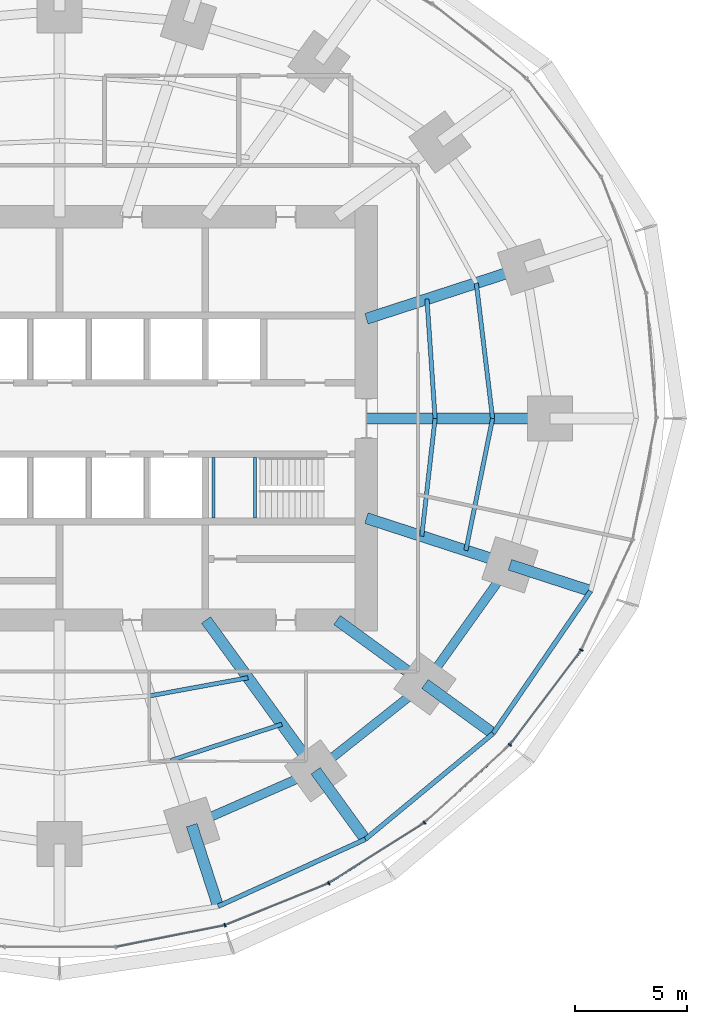
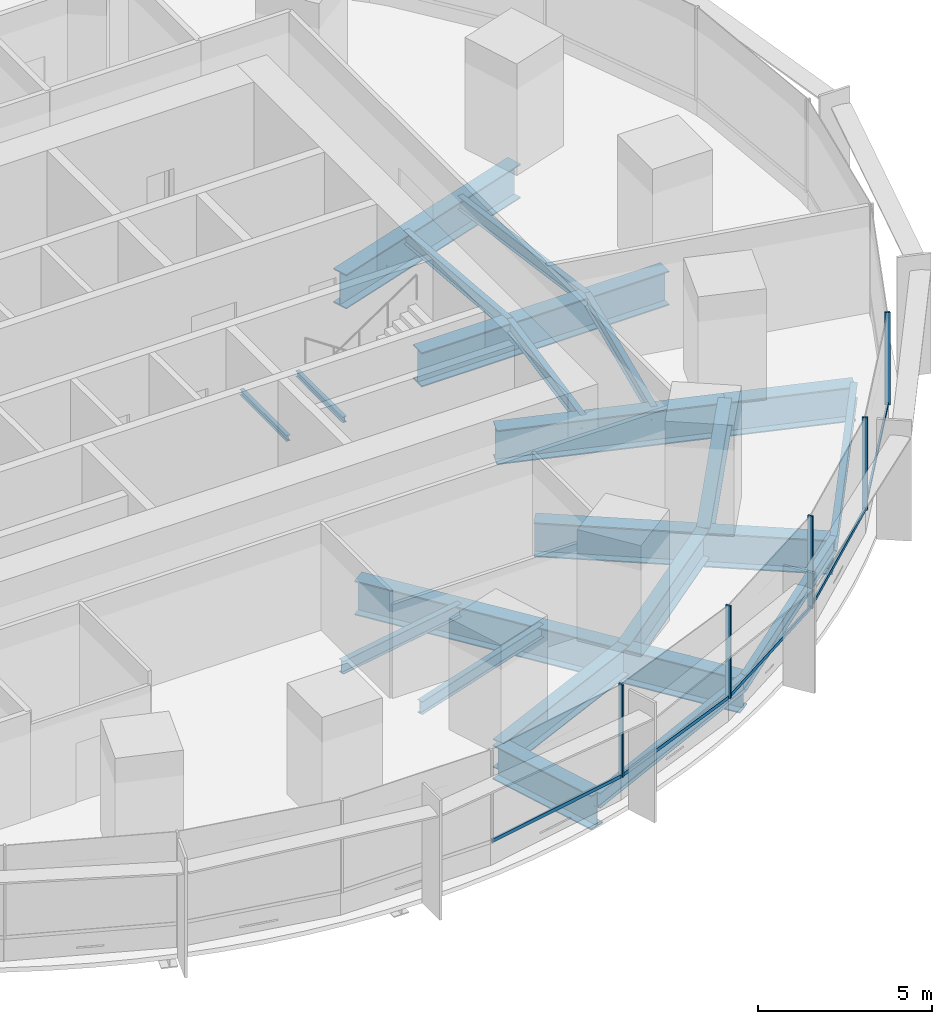
# One storey, part 5 of 15: 23 beams, 10 members, 2 elements without a shape of their own.
"""IFC4 building model written with IfcOpenShell, lengths in metres."""

import ifcopenshell
import ifcopenshell.guid

model = None  # the IFC model being written
_history = None  # IfcOwnerHistory: only IFC2X3 demands one
_inside = {}  # id of a spatial element -> (the spatial element, [elements in it])
_under = {}  # id of a project, library or spatial element -> (it, [spatial elements below it])
_declared = {}  # id of a project -> (the project, [libraries it declares])
_typed = {}  # id of a type object -> (the type object, [elements of that type])
_made_of = {}  # id of a material, layer set ... -> (it, [elements and type objects made of it])


def new_model(schema):
    """Start an empty IFC model of exactly this schema.

    Asked for "IFC4X3", IfcOpenShell would pick the latest addendum, in which some entities
    have other attributes; the version numbers below select the first issue.
    IFC2X3 requires an IfcOwnerHistory on every rooted entity: one is made here for all.
    """
    global model, _history
    if schema == "IFC4X3":
        model = ifcopenshell.file(schema_version=(4, 3, 0, 0))
    else:
        model = ifcopenshell.file(schema=schema)
    _inside.clear()
    _under.clear()
    _declared.clear()
    _typed.clear()
    _made_of.clear()
    _history = None
    if model.schema == "IFC2X3":
        org = make("IfcOrganization", Name="unknown")
        user = make(
            "IfcPersonAndOrganization",
            ThePerson=make("IfcPerson", FamilyName="unknown"),
            TheOrganization=org,
        )
        app = make(
            "IfcApplication",
            ApplicationDeveloper=org,
            Version="unknown",
            ApplicationFullName="unknown",
            ApplicationIdentifier="unknown",
        )
        _history = make(
            "IfcOwnerHistory",
            OwningUser=user,
            OwningApplication=app,
            ChangeAction="ADDED",
            CreationDate=0,
        )
    return model


def make(cls, **values):
    """One entity of the class cls with the attributes given. An attribute that is None is left unset."""
    return model.create_entity(
        cls, **{name: value for name, value in values.items() if value is not None}
    )


def rooted(cls, **values):
    """An entity with a GlobalId (a new one), such as an element, a storey or a relation."""
    return make(cls, GlobalId=ifcopenshell.guid.new(), OwnerHistory=_history, **values)


def si_unit(unit_type, name, prefix=None):
    """IfcSIUnit, for example si_unit("LENGTHUNIT", "METRE", prefix="MILLI")."""
    return make("IfcSIUnit", UnitType=unit_type, Prefix=prefix, Name=name)


def assignment(units):
    """IfcUnitAssignment: the units of a project."""
    return None if units is None else make("IfcUnitAssignment", Units=units)


def point(xyz):
    """IfcCartesianPoint."""
    return None if xyz is None else make("IfcCartesianPoint", Coordinates=xyz)


def direction(xyz):
    """IfcDirection."""
    return None if xyz is None else make("IfcDirection", DirectionRatios=xyz)


def frame(location, z_axis=None, x_axis=None):
    """IfcAxis2Placement3D, a coordinate frame: its origin and axes. An axis left out is left unset."""
    return make(
        "IfcAxis2Placement3D",
        Location=point(location),
        Axis=direction(z_axis),
        RefDirection=direction(x_axis),
    )


def frame_2d(location, x_axis=None):
    """IfcAxis2Placement2D, a coordinate frame in the plane: its origin and x axis."""
    return make(
        "IfcAxis2Placement2D", Location=point(location), RefDirection=direction(x_axis)
    )


def origin():
    """The frame at (0, 0, 0) with its axes left unset."""
    return frame((0.0, 0.0, 0.0))


def origin_2d():
    """The frame at (0, 0) in the plane with its x axis left unset."""
    return frame_2d((0.0, 0.0))


def place(relative_to, where):
    """IfcLocalPlacement: puts the frame where relative to a parent placement (None: the world)."""
    return make(
        "IfcLocalPlacement", PlacementRelTo=relative_to, RelativePlacement=where
    )


def context(
    kind, dimensions, precision=None, world=None, true_north=None, identifier=None
):
    """IfcGeometricRepresentationContext, for example the 3D "Model" context."""
    return make(
        "IfcGeometricRepresentationContext",
        ContextIdentifier=identifier,
        ContextType=kind,
        CoordinateSpaceDimension=dimensions,
        Precision=precision,
        WorldCoordinateSystem=world,
        TrueNorth=true_north,
    )


def subcontext(parent, identifier, kind, view, scale=None):
    """IfcGeometricRepresentationSubContext, for example "Body" below "Model"."""
    return make(
        "IfcGeometricRepresentationSubContext",
        ContextIdentifier=identifier,
        ContextType=kind,
        ParentContext=parent,
        TargetScale=scale,
        TargetView=view,
    )


def project(units=None, contexts=None):
    """IfcProject with its units and contexts."""
    return rooted(
        "IfcProject",
        Name="project",
        RepresentationContexts=contexts,
        UnitsInContext=assignment(units),
    )


def spatial(cls, under=None, at=None, **own):
    """A site, building, storey or space (cls), placed at a placement, below another one or the project."""
    s = rooted(cls, ObjectPlacement=at, **own)
    if under is not None:
        _under.setdefault(under.id(), (under, []))[1].append(s)
    return s


def profile(cls, at=None, kind="AREA", **sizes):
    """A parametric profile (cls). Its sizes go by their IFC names, for example OverallWidth=200.0."""
    return make(cls, ProfileType=kind, Position=at, **sizes)


def rectangle(**sizes):
    """IfcRectangleProfileDef."""
    return profile("IfcRectangleProfileDef", **sizes)


def i_section(**sizes):
    """IfcIShapeProfileDef."""
    return profile("IfcIShapeProfileDef", **sizes)


def extrude(swept, where, along, depth):
    """IfcExtrudedAreaSolid: the profile swept, set in the frame where, extruded along a direction by depth."""
    return make(
        "IfcExtrudedAreaSolid",
        SweptArea=swept,
        Position=where,
        ExtrudedDirection=direction(along),
        Depth=depth,
    )


def shape(context_of_items, identifier, shape_type, items):
    """IfcShapeRepresentation: the items that make up one representation, for example the "Body"."""
    return make(
        "IfcShapeRepresentation",
        ContextOfItems=context_of_items,
        RepresentationIdentifier=identifier,
        RepresentationType=shape_type,
        Items=items,
    )


def material(Name=None, Category=None):
    """IfcMaterial."""
    return make("IfcMaterial", Name=Name, Category=Category)


def material_profile(
    of_material, cross_section, Name=None, Category=None, Priority=None
):
    """IfcMaterialProfile: a cross section and its material."""
    return make(
        "IfcMaterialProfile",
        Name=Name,
        Material=of_material,
        Profile=cross_section,
        Priority=Priority,
        Category=Category,
    )


def profile_set(profiles, Name=None, composite=None):
    """IfcMaterialProfileSet."""
    return make(
        "IfcMaterialProfileSet",
        Name=Name,
        MaterialProfiles=profiles,
        CompositeProfile=composite,
    )


def made_of(thing, what):
    """Note that an element or type object is made of a material, layer set ...; save() writes the relation."""
    if what is not None:
        _made_of.setdefault(what.id(), (what, []))[1].append(thing)
    return thing


def type_object(cls, material=None, **own):
    """A type object (cls), such as IfcWallType, which elements share."""
    return made_of(rooted(cls, **own), material)


def element(
    cls,
    number,
    at=None,
    inside=None,
    cuts=None,
    type_object=None,
    material=None,
    context=None,
    identifier="Body",
    shape_type=None,
    held_by="IfcProductDefinitionShape",
    body=None,
    shapes=None,
    **own,
):
    """One element of the class cls, such as IfcWall. Its Tag is "e" and its number.

    at: its placement. inside: the storey or other place that contains it. cuts: it is an
    opening in that element (IfcRelVoidsElement). A single representation is given by context,
    identifier, shape_type and body (its items); several are given by shapes. held_by: the class
    of the entity that holds the representations. save() writes the other relations.
    """
    e = rooted(cls, Tag="e%d" % number, ObjectPlacement=at, **own)
    if body is not None:
        shapes = [shape(context, identifier, shape_type, body)]
    if shapes is not None:
        e.Representation = make(held_by, Representations=shapes)
    if inside is not None:
        _inside.setdefault(inside.id(), (inside, []))[1].append(e)
    if cuts is not None:
        rooted(
            "IfcRelVoidsElement", RelatingBuildingElement=cuts, RelatedOpeningElement=e
        )
    if type_object is not None:
        _typed.setdefault(type_object.id(), (type_object, []))[1].append(e)
    return made_of(e, material)


def aggregate(whole, parts):
    """IfcRelAggregates: a whole, such as a stair, and the parts it consists of."""
    return rooted("IfcRelAggregates", RelatingObject=whole, RelatedObjects=parts)


def save(model, path):
    """Write the relations noted so far, then the file.

    IfcRelAggregates (storeys below a building ...), IfcRelContainedInSpatialStructure (elements
    in a storey), IfcRelDefinesByType, IfcRelAssociatesMaterial and IfcRelDeclares: one each for
    every whole, place, type object, material and project.
    """
    for whole, parts in _under.values():
        aggregate(whole, parts)
    for where, things in _inside.values():
        rooted(
            "IfcRelContainedInSpatialStructure",
            RelatedElements=things,
            RelatingStructure=where,
        )
    for kind, things in _typed.values():
        rooted("IfcRelDefinesByType", RelatedObjects=things, RelatingType=kind)
    for what, things in _made_of.values():
        rooted("IfcRelAssociatesMaterial", RelatedObjects=things, RelatingMaterial=what)
    for by, libraries in _declared.values():
        rooted("IfcRelDeclares", RelatingContext=by, RelatedDefinitions=libraries)
    model.write(path)


model = new_model("IFC4")

# Units and contexts
model_context = context("Model", 3, precision=1e-05, world=origin(), true_north=direction((0.0, 1.0)))
body_context = subcontext(model_context, "Body", "Model", "MODEL_VIEW")
ifc_project = project(units=[si_unit("LENGTHUNIT", "METRE"), si_unit("AREAUNIT", "SQUARE_METRE"), si_unit("VOLUMEUNIT", "CUBIC_METRE"), si_unit("PLANEANGLEUNIT", "RADIAN"), si_unit("MASSUNIT", "GRAM", prefix="KILO")], contexts=[model_context])

# Site, building, storey
site_placement = place(None, origin())
site = spatial("IfcSite", under=ifc_project, at=site_placement, CompositionType="ELEMENT")
building_placement = place(site_placement, origin())
building = spatial("IfcBuilding", under=site, at=building_placement, Name="Marramba Exchange Tower", CompositionType="ELEMENT")
storey_placement = place(building_placement, frame((0.0, 0.0, 36.39990234375)))
storey = spatial("IfcBuildingStorey", under=building, at=storey_placement, Name="L08", CompositionType="ELEMENT", Elevation=36.39990234375)

# Beams
ifc_material_1 = material(Name="Steel AS/NZS 3679.2 grade 300", Category="steel")
ifc_material_profile_1 = material_profile(ifc_material_1, i_section(OverallWidth=0.5, OverallDepth=1.199951171875, WebThickness=0.01611328125, FlangeThickness=0.0400390625, at=origin_2d()), Name="1200WB455")
ifc_profile_set_1 = profile_set([ifc_material_profile_1], Name="Steel AS/NZS 3679.2 grade 300")
beam_type_1 = type_object("IfcBeamType", Name="Cantilever girder 1200WB455", PredefinedType="BEAM", material=ifc_profile_set_1)
beam_1_placement = place(storey_placement, frame((5.899658203125, -18.156982421875, -0.760009765625), z_axis=(0.309009272901, -0.951059025119, 0.0), x_axis=(0.951059025119, 0.309009272901, 0.0)))
element("IfcBeam", 1, at=beam_1_placement, inside=storey, type_object=beam_type_1, Name="Cantilever girder L08 TC17", PredefinedType="BEAM", context=body_context, shape_type="SweptSolid", body=[
    extrude(i_section(OverallWidth=0.5, OverallDepth=1.199951171875, WebThickness=0.01611328125, FlangeThickness=0.0400390625, at=origin_2d()), origin(), (0.0, 0.0, 1.0), 3.809814453125),
])
beam_2_placement = place(storey_placement, frame((11.430419921875, -15.732666015625, -0.760009765625), z_axis=(0.587787232741, -0.809015555491, 0.0), x_axis=(0.809015555491, 0.587787232741, 0.0)))
element("IfcBeam", 2, at=beam_2_placement, inside=storey, type_object=beam_type_1, Name="Cantilever girder L08 TC18", PredefinedType="BEAM", context=body_context, shape_type="SweptSolid", body=[
    extrude(i_section(OverallWidth=0.5, OverallDepth=1.199951171875, WebThickness=0.01611328125, FlangeThickness=0.0400390625, at=origin_2d()), origin(), (0.0, 0.0, 1.0), 3.7763671875),
])
beam_3_placement = place(storey_placement, frame((16.3154296875, -11.853759765625, -0.760009765625), z_axis=(0.809008346081, -0.587797155463, 0.0), x_axis=(0.587797155463, 0.809008346081, 0.0)))
element("IfcBeam", 3, at=beam_3_placement, inside=storey, type_object=beam_type_1, Name="Cantilever girder L08 TC19", PredefinedType="BEAM", context=body_context, shape_type="SweptSolid", body=[
    extrude(i_section(OverallWidth=0.5, OverallDepth=1.199951171875, WebThickness=0.01611328125, FlangeThickness=0.0400390625, at=origin_2d()), origin(), (0.0, 0.0, 1.0), 3.76025390625),
])
beam_4_placement = place(storey_placement, frame((20.109375, -6.533935546875, -0.760009765625), z_axis=(0.951048759501, -0.309040866314, 0.0), x_axis=(0.309040866314, 0.951048759501, 0.0)))
element("IfcBeam", 4, at=beam_4_placement, inside=storey, type_object=beam_type_1, Name="Cantilever girder L08 TC20", PredefinedType="BEAM", context=body_context, shape_type="SweptSolid", body=[
    extrude(i_section(OverallWidth=0.5, OverallDepth=1.199951171875, WebThickness=0.01611328125, FlangeThickness=0.0400390625, at=origin_2d()), origin(), (0.0, 0.0, 1.0), 3.78564453125),
])
ifc_material_2 = material(Name="Steel AS/NZS 3679.1 grade 300", Category="steel")
ifc_material_profile_2 = material_profile(ifc_material_2, i_section(OverallWidth=0.18994140625, OverallDepth=0.4541015625, WebThickness=0.008544921875, FlangeThickness=0.0126953125, FilletRadius=0.011474609375, at=origin_2d()), Name="460UB67.1")
ifc_profile_set_2 = profile_set([ifc_material_profile_2], Name="Steel AS/NZS 3679.1 grade 300")
beam_type_2 = type_object("IfcBeamType", Name="Floor joist 460UB67.1", PredefinedType="JOIST", material=ifc_profile_set_2)
beam_5_placement = place(storey_placement, frame((16.7666015625, 0.0, -0.386962890625), z_axis=(-0.068096259546, 0.99767875563, 0.0), x_axis=(-0.99767875563, -0.068096259546, 0.0)))
element("IfcBeam", 5, at=beam_5_placement, inside=storey, type_object=beam_type_2, Name="Joist L08 bay 01 row 1", PredefinedType="JOIST", context=body_context, shape_type="SweptSolid", body=[
    extrude(i_section(OverallWidth=0.18994140625, OverallDepth=0.4541015625, WebThickness=0.008544921875, FlangeThickness=0.0126953125, FilletRadius=0.011474609375, at=origin_2d()), origin(), (0.0, 0.0, 1.0), 5.342041015625),
])
beam_6_placement = place(storey_placement, frame((19.333251953125, 0.0, -0.386962890625), z_axis=(-0.119523078538, 0.992831422597, 0.0), x_axis=(-0.992831422597, -0.119523078538, 0.0)))
element("IfcBeam", 6, at=beam_6_placement, inside=storey, type_object=beam_type_2, Name="Joist L08 bay 01 row 2", PredefinedType="JOIST", context=body_context, shape_type="SweptSolid", body=[
    extrude(i_section(OverallWidth=0.18994140625, OverallDepth=0.4541015625, WebThickness=0.008544921875, FlangeThickness=0.0126953125, FilletRadius=0.011474609375, at=origin_2d()), origin(), (0.0, 0.0, 1.0), 6.089111328125),
])
beam_7_placement = place(storey_placement, frame((4.0244140625, -12.3857421875, -0.386962890625), z_axis=(0.983455754421, 0.181148500119, 0.0), x_axis=(-0.181148500119, 0.983455754421, 0.0)))
element("IfcBeam", 7, at=beam_7_placement, inside=storey, type_object=beam_type_2, Name="Joist L08 bay 17 row 1", PredefinedType="JOIST", context=body_context, shape_type="SweptSolid", body=[
    extrude(i_section(OverallWidth=0.18994140625, OverallDepth=0.4541015625, WebThickness=0.008544921875, FlangeThickness=0.0126953125, FilletRadius=0.011474609375, at=origin_2d()), origin(), (0.0, 0.0, 1.0), 4.4609375),
])
beam_8_placement = place(storey_placement, frame((4.9619140625, -15.271484375, -0.386962890625), z_axis=(0.950764024931, 0.309915744834, 0.0), x_axis=(-0.309915744834, 0.950764024931, 0.0)))
element("IfcBeam", 8, at=beam_8_placement, inside=storey, type_object=beam_type_2, Name="Joist L08 bay 17 row 2", PredefinedType="JOIST", context=body_context, shape_type="SweptSolid", body=[
    extrude(i_section(OverallWidth=0.18994140625, OverallDepth=0.4541015625, WebThickness=0.008544921875, FlangeThickness=0.0126953125, FilletRadius=0.011474609375, at=origin_2d()), origin(), (0.0, 0.0, 1.0), 5.2158203125),
])
beam_9_placement = place(storey_placement, frame((16.169677734375, -5.25390625, -0.386962890625), z_axis=(0.112888968594, 0.993607609054, 0.0), x_axis=(-0.993607609054, 0.112888968594, 0.0)))
element("IfcBeam", 9, at=beam_9_placement, inside=storey, type_object=beam_type_2, Name="Joist L08 bay 20 row 1", PredefinedType="JOIST", context=body_context, shape_type="SweptSolid", body=[
    extrude(i_section(OverallWidth=0.18994140625, OverallDepth=0.4541015625, WebThickness=0.008544921875, FlangeThickness=0.0126953125, FilletRadius=0.011474609375, at=origin_2d()), origin(), (0.0, 0.0, 1.0), 5.28759765625),
])
beam_10_placement = place(storey_placement, frame((18.1396484375, -5.893798828125, -0.386962890625), z_axis=(0.198489047047, 0.980103105904, 0.0), x_axis=(-0.980103105904, 0.198489047047, 0.0)))
element("IfcBeam", 10, at=beam_10_placement, inside=storey, type_object=beam_type_2, Name="Joist L08 bay 20 row 2", PredefinedType="JOIST", context=body_context, shape_type="SweptSolid", body=[
    extrude(i_section(OverallWidth=0.18994140625, OverallDepth=0.4541015625, WebThickness=0.008544921875, FlangeThickness=0.0126953125, FilletRadius=0.011474609375, at=origin_2d()), origin(), (0.0, 0.0, 1.0), 6.013427734375),
])
ifc_material_profile_3 = material_profile(ifc_material_1, i_section(OverallWidth=0.5, OverallDepth=1.199951171875, WebThickness=0.01611328125, FlangeThickness=0.0400390625, at=origin_2d()), Name="1200WB455")
ifc_profile_set_3 = profile_set([ifc_material_profile_3], Name="Steel AS/NZS 3679.2 grade 300")
beam_type_3 = type_object("IfcBeamType", Name="Radial girder 1200WB455", PredefinedType="BEAM", material=ifc_profile_set_3)
beam_11_placement = place(storey_placement, frame((13.699951171875, 0.0, -0.760009765625), z_axis=(1.0, 0.0, 0.0), x_axis=(0.0, 1.0, 0.0)))
element("IfcBeam", 11, at=beam_11_placement, inside=storey, type_object=beam_type_3, Name="Radial girder L08 TC01", PredefinedType="BEAM", context=body_context, shape_type="SweptSolid", body=[
    extrude(i_section(OverallWidth=0.5, OverallDepth=1.199951171875, WebThickness=0.01611328125, FlangeThickness=0.0400390625, at=origin_2d()), origin(), (0.0, 0.0, 1.0), 8.199951171875),
])
beam_12_placement = place(storey_placement, frame((13.699951171875, 4.451416015625, -0.760009765625), z_axis=(0.951059990189, 0.309006302624, 0.0), x_axis=(-0.309006302624, 0.951059990189, 0.0)))
element("IfcBeam", 12, at=beam_12_placement, inside=storey, type_object=beam_type_3, Name="Radial girder L08 TC02", PredefinedType="BEAM", context=body_context, shape_type="SweptSolid", body=[
    extrude(i_section(OverallWidth=0.5, OverallDepth=1.199951171875, WebThickness=0.01611328125, FlangeThickness=0.0400390625, at=origin_2d()), origin(), (0.0, 0.0, 1.0), 7.47412109375),
])
beam_13_placement = place(storey_placement, frame((6.538818359375, -9.0, -0.760009765625), z_axis=(0.587787877172, -0.809015087282, 0.0), x_axis=(0.809015087282, 0.587787877172, 0.0)))
element("IfcBeam", 13, at=beam_13_placement, inside=storey, type_object=beam_type_3, Name="Radial girder L08 TC18", PredefinedType="BEAM", context=body_context, shape_type="SweptSolid", body=[
    extrude(i_section(OverallWidth=0.5, OverallDepth=1.199951171875, WebThickness=0.01611328125, FlangeThickness=0.0400390625, at=origin_2d()), origin(), (0.0, 0.0, 1.0), 8.322021484375),
])
beam_14_placement = place(storey_placement, frame((12.387451171875, -9.0, -0.760009765625), z_axis=(0.809025189606, -0.58777397236, 0.0), x_axis=(0.58777397236, 0.809025189606, 0.0)))
element("IfcBeam", 14, at=beam_14_placement, inside=storey, type_object=beam_type_3, Name="Radial girder L08 TC19", PredefinedType="BEAM", context=body_context, shape_type="SweptSolid", body=[
    extrude(i_section(OverallWidth=0.5, OverallDepth=1.199951171875, WebThickness=0.01611328125, FlangeThickness=0.0400390625, at=origin_2d()), origin(), (0.0, 0.0, 1.0), 4.855224609375),
])
beam_15_placement = place(storey_placement, frame((13.699951171875, -4.451416015625, -0.760009765625), z_axis=(0.951057759669, -0.309013167637, 0.0), x_axis=(0.309013167637, 0.951057759669, 0.0)))
element("IfcBeam", 15, at=beam_15_placement, inside=storey, type_object=beam_type_3, Name="Radial girder L08 TC20", PredefinedType="BEAM", context=body_context, shape_type="SweptSolid", body=[
    extrude(i_section(OverallWidth=0.5, OverallDepth=1.199951171875, WebThickness=0.01611328125, FlangeThickness=0.0400390625, at=origin_2d()), origin(), (0.0, 0.0, 1.0), 6.7392578125),
])
ifc_material_profile_4 = material_profile(ifc_material_1, i_section(OverallWidth=0.39990234375, OverallDepth=1.0, WebThickness=0.01611328125, FlangeThickness=0.031982421875, at=origin_2d()), Name="1000WB322")
ifc_profile_set_4 = profile_set([ifc_material_profile_4], Name="Steel AS/NZS 3679.2 grade 300")
beam_type_4 = type_object("IfcBeamType", Name="Ring beam 1000WB322", PredefinedType="SPANDREL", material=ifc_profile_set_4)
beam_16_placement = place(storey_placement, frame((5.899658203125, -18.156982421875, -0.659912109375), z_axis=(0.915876892158, 0.4014592363, 0.0), x_axis=(-0.4014592363, 0.915876892158, 0.0)))
element("IfcBeam", 16, at=beam_16_placement, inside=storey, type_object=beam_type_4, Name="Ring beam L08 TC17-TC18", PredefinedType="SPANDREL", context=body_context, shape_type="SweptSolid", body=[
    extrude(i_section(OverallWidth=0.39990234375, OverallDepth=1.0, WebThickness=0.01611328125, FlangeThickness=0.031982421875, at=origin_2d()), origin(), (0.0, 0.0, 1.0), 6.038818359375),
])
beam_17_placement = place(storey_placement, frame((11.430419921875, -15.732666015625, -0.659912109375), z_axis=(0.783139438128, 0.621846138887, 0.0), x_axis=(-0.621846138887, 0.783139438128, 0.0)))
element("IfcBeam", 17, at=beam_17_placement, inside=storey, type_object=beam_type_4, Name="Ring beam L08 TC18-TC19", PredefinedType="SPANDREL", context=body_context, shape_type="SweptSolid", body=[
    extrude(i_section(OverallWidth=0.39990234375, OverallDepth=1.0, WebThickness=0.01611328125, FlangeThickness=0.031982421875, at=origin_2d()), origin(), (0.0, 0.0, 1.0), 6.23779296875),
])
beam_18_placement = place(storey_placement, frame((16.3154296875, -11.853759765625, -0.659912109375), z_axis=(0.580637181111, 0.814162430914, 0.0), x_axis=(-0.814162430914, 0.580637181111, 0.0)))
element("IfcBeam", 18, at=beam_18_placement, inside=storey, type_object=beam_type_4, Name="Ring beam L08 TC19-TC20", PredefinedType="SPANDREL", context=body_context, shape_type="SweptSolid", body=[
    extrude(i_section(OverallWidth=0.39990234375, OverallDepth=1.0, WebThickness=0.01611328125, FlangeThickness=0.031982421875, at=origin_2d()), origin(), (0.0, 0.0, 1.0), 6.5341796875),
])
ifc_material_profile_5 = material_profile(ifc_material_2, i_section(OverallWidth=0.208984375, OverallDepth=0.528076171875, WebThickness=0.009521484375, FlangeThickness=0.01318359375, FilletRadius=0.013916015625, at=origin_2d()), Name="530UB82.0")
ifc_profile_set_5 = profile_set([ifc_material_profile_5], Name="Steel AS/NZS 3679.1 grade 300")
beam_type_5 = type_object("IfcBeamType", Name="Slab edge beam 530UB82.0", PredefinedType="SPANDREL", material=ifc_profile_set_5)
beam_19_placement = place(storey_placement, frame((7.076904296875, -21.7802734375, -0.423828125), z_axis=(0.910126690081, 0.414330071324, 0.0), x_axis=(-0.414330071324, 0.910126690081, 0.0)))
element("IfcBeam", 19, at=beam_19_placement, inside=storey, type_object=beam_type_5, Name="Slab edge beam L08 TC17-TC18", PredefinedType="SPANDREL", context=body_context, shape_type="SweptSolid", body=[
    extrude(i_section(OverallWidth=0.208984375, OverallDepth=0.528076171875, WebThickness=0.009521484375, FlangeThickness=0.01318359375, FilletRadius=0.013916015625, at=origin_2d()), origin(), (0.0, 0.0, 1.0), 7.222412109375),
])
beam_20_placement = place(storey_placement, frame((13.650146484375, -18.787841796875, -0.423828125), z_axis=(0.770353575372, 0.637616945283, 0.0), x_axis=(-0.637616945283, 0.770353575372, 0.0)))
element("IfcBeam", 20, at=beam_20_placement, inside=storey, type_object=beam_type_5, Name="Slab edge beam L08 TC18-TC19", PredefinedType="SPANDREL", context=body_context, shape_type="SweptSolid", body=[
    extrude(i_section(OverallWidth=0.208984375, OverallDepth=0.528076171875, WebThickness=0.009521484375, FlangeThickness=0.01318359375, FilletRadius=0.013916015625, at=origin_2d()), origin(), (0.0, 0.0, 1.0), 7.40869140625),
])
beam_21_placement = place(storey_placement, frame((19.357421875, -14.06396484375, -0.423828125), z_axis=(0.564740697285, 0.82526840775, 0.0), x_axis=(-0.82526840775, 0.564740697285, 0.0)))
element("IfcBeam", 21, at=beam_21_placement, inside=storey, type_object=beam_type_5, Name="Slab edge beam L08 TC19-TC20", PredefinedType="SPANDREL", context=body_context, shape_type="SweptSolid", body=[
    extrude(i_section(OverallWidth=0.208984375, OverallDepth=0.528076171875, WebThickness=0.009521484375, FlangeThickness=0.01318359375, FilletRadius=0.013916015625, at=origin_2d()), origin(), (0.0, 0.0, 1.0), 7.706787109375),
])
ifc_material_profile_6 = material_profile(ifc_material_2, i_section(OverallWidth=0.133056640625, OverallDepth=0.202880859375, WebThickness=0.005859375, FlangeThickness=0.0078125, FilletRadius=0.0087890625, at=origin_2d()), Name="200UB25.4")
ifc_profile_set_6 = profile_set([ifc_material_profile_6], Name="Steel AS/NZS 3679.1 grade 300")
beam_type_6 = type_object("IfcBeamType", Name="Stair landing beam 200UB25.4", PredefinedType="BEAM", material=ifc_profile_set_6)
for number, where, z_axis, x_axis, name in (
    (22, (6.866455078125, -4.449951171875, 1.798583984375), (0.0, 1.0, 0.0), (-1.0, 0.0, 0.0), "Stair landing beam SLB1 ST2 L08 1"),
    (23, (8.723388671875, -4.449951171875, 1.798583984375), (0.0, 1.0, 0.0), (-1.0, 0.0, 0.0), "Stair landing beam SLB1 ST2 L08 2"),
):
    element("IfcBeam", number, at=place(storey_placement, frame(where, z_axis=z_axis, x_axis=x_axis)), inside=storey, type_object=beam_type_6, Name=name, PredefinedType="BEAM", context=body_context, shape_type="SweptSolid", body=[
        extrude(i_section(OverallWidth=0.133056640625, OverallDepth=0.202880859375, WebThickness=0.005859375, FlangeThickness=0.0078125, FilletRadius=0.0087890625, at=origin_2d()), origin(), (0.0, 0.0, 1.0), 2.699951171875),
    ])

# Curtain wall, member
ifc_material_3 = material(Name="Aluminium framing, bronze anodised", Category="aluminium")
curtain_wall_type = type_object("IfcCurtainWallType", Name="Trading floor ribbon curtain wall", PredefinedType="USERDEFINED", material=ifc_material_3)
curtain_wall_1_placement = place(storey_placement, origin())
curtain_wall_1 = element("IfcCurtainWall", 24, at=curtain_wall_1_placement, inside=storey, type_object=curtain_wall_type, Name="Curtain wall CW3 L08 F21-F25", ObjectType="RIBBON CURTAIN WALL", PredefinedType="USERDEFINED")
ifc_material_4 = material(Name="Aluminium mullion, bronze anodised", Category="aluminium")
ifc_material_profile_7 = material_profile(ifc_material_4, rectangle(XDim=0.159912109375, YDim=0.06005859375, at=origin_2d()), Name="CW3 mullion 60x160")
ifc_profile_set_7 = profile_set([ifc_material_profile_7], Name="Aluminium mullion, bronze anodised")
member_type_1 = type_object("IfcMemberType", Name="Trading floor ribbon curtain wall mullion", PredefinedType="MULLION", material=ifc_profile_set_7)
member_1_placement = place(storey_placement, frame((7.3828125, -22.625, 0.800048828125), z_axis=(0.0, 0.0, 1.0), x_axis=(-0.374218219325, 0.927340673283, 0.0)))
member_1 = element("IfcMember", 25, at=member_1_placement, type_object=member_type_1, Name="CW3 mullion 1", PredefinedType="MULLION", context=body_context, shape_type="SweptSolid", body=[
    extrude(rectangle(XDim=0.159912109375, YDim=0.06005859375, at=origin_2d()), origin(), (0.0, 0.0, 1.0), 3.239990234375),
])

# Curtain wall, members
curtain_wall_2_placement = place(storey_placement, origin())
curtain_wall_2 = element("IfcCurtainWall", 26, at=curtain_wall_2_placement, inside=storey, type_object=curtain_wall_type, Name="Curtain wall CW3 L08 F26-F30", ObjectType="RIBBON CURTAIN WALL", PredefinedType="USERDEFINED")
member_2_placement = place(storey_placement, frame((12.0146484375, -20.75, 0.800048828125), z_axis=(0.0, 0.0, 1.0), x_axis=(-0.533514646612, 0.845790826298, 0.0)))
member_2 = element("IfcMember", 27, at=member_2_placement, type_object=member_type_1, Name="CW3 mullion 1", PredefinedType="MULLION", context=body_context, shape_type="SweptSolid", body=[
    extrude(rectangle(XDim=0.159912109375, YDim=0.06005859375, at=origin_2d()), origin(), (0.0, 0.0, 1.0), 3.239990234375),
])
member_3_placement = place(storey_placement, frame((16.2900390625, -18.047119140625, 0.800048828125), z_axis=(0.0, 0.0, 1.0), x_axis=(-0.673058133441, 0.739589581463, 0.0)))
member_3 = element("IfcMember", 28, at=member_3_placement, type_object=member_type_1, Name="CW3 mullion 1", PredefinedType="MULLION", context=body_context, shape_type="SweptSolid", body=[
    extrude(rectangle(XDim=0.159912109375, YDim=0.06005859375, at=origin_2d()), origin(), (0.0, 0.0, 1.0), 3.239990234375),
])
member_4_placement = place(storey_placement, frame((20.103515625, -14.569091796875, 0.800048828125), z_axis=(0.0, 0.0, 1.0), x_axis=(-0.797710591138, 0.603040473588, 0.0)))
member_4 = element("IfcMember", 29, at=member_4_placement, type_object=member_type_1, Name="CW3 mullion 1", PredefinedType="MULLION", context=body_context, shape_type="SweptSolid", body=[
    extrude(rectangle(XDim=0.159912109375, YDim=0.06005859375, at=origin_2d()), origin(), (0.0, 0.0, 1.0), 3.239990234375),
])
member_5_placement = place(storey_placement, frame((23.2939453125, -10.33837890625, 0.800048828125), z_axis=(0.0, 0.0, 1.0), x_axis=(-0.905906758768, 0.423477206492, 0.0)))
member_5 = element("IfcMember", 30, at=member_5_placement, type_object=member_type_1, Name="CW3 mullion 1", PredefinedType="MULLION", context=body_context, shape_type="SweptSolid", body=[
    extrude(rectangle(XDim=0.159912109375, YDim=0.06005859375, at=origin_2d()), origin(), (0.0, 0.0, 1.0), 3.239990234375),
])

# Member
ifc_material_5 = material(Name="Aluminium transom, bronze anodised", Category="aluminium")
ifc_material_profile_8 = material_profile(ifc_material_5, rectangle(XDim=0.06005859375, YDim=0.1201171875, at=origin_2d()), Name="CW3 transom 60x120")
ifc_profile_set_8 = profile_set([ifc_material_profile_8], Name="Aluminium transom, bronze anodised")
member_type_2 = type_object("IfcMemberType", Name="Trading floor ribbon curtain wall transom", PredefinedType="USERDEFINED", material=ifc_profile_set_8)
member_6_placement = place(storey_placement, frame((2.539306640625, -23.58837890625, 0.830078125), z_axis=(0.981008707181, 0.193963698758, 0.0), x_axis=(-0.193963698758, 0.981008707181, 0.0)))
member_6 = element("IfcMember", 31, at=member_6_placement, type_object=member_type_2, Name="CW3 sill transom", ObjectType="TRANSOM", PredefinedType="USERDEFINED", context=body_context, shape_type="SweptSolid", body=[
    extrude(rectangle(XDim=0.06005859375, YDim=0.1201171875, at=origin_2d()), origin(), (0.0, 0.0, 1.0), 4.908935546875),
])

member_7_placement = place(storey_placement, frame((7.41064453125, -22.61376953125, 0.830078125), z_axis=(0.927340197166, 0.374219399176, 0.0), x_axis=(-0.374219399176, 0.927340197166, 0.0)))
member_7 = element("IfcMember", 32, at=member_7_placement, type_object=member_type_2, Name="CW3 sill transom", ObjectType="TRANSOM", PredefinedType="USERDEFINED", context=body_context, shape_type="SweptSolid", body=[
    extrude(rectangle(XDim=0.06005859375, YDim=0.1201171875, at=origin_2d()), origin(), (0.0, 0.0, 1.0), 4.937255859375),
])

aggregate(curtain_wall_1, [member_6, member_1, member_7])

member_8_placement = place(storey_placement, frame((12.0400390625, -20.734130859375, 0.830078125), z_axis=(0.845776602594, 0.533537195053, 0.0), x_axis=(-0.533537195053, 0.845776602594, 0.0)))
member_8 = element("IfcMember", 33, at=member_8_placement, type_object=member_type_2, Name="CW3 sill transom", ObjectType="TRANSOM", PredefinedType="USERDEFINED", context=body_context, shape_type="SweptSolid", body=[
    extrude(rectangle(XDim=0.06005859375, YDim=0.1201171875, at=origin_2d()), origin(), (0.0, 0.0, 1.0), 4.998779296875),
])

member_9_placement = place(storey_placement, frame((16.312255859375, -18.02685546875, 0.830078125), z_axis=(0.739582688456, 0.673065707741, 0.0), x_axis=(-0.673065707741, 0.739582688456, 0.0)))
member_9 = element("IfcMember", 34, at=member_9_placement, type_object=member_type_2, Name="CW3 sill transom", ObjectType="TRANSOM", PredefinedType="USERDEFINED", context=body_context, shape_type="SweptSolid", body=[
    extrude(rectangle(XDim=0.06005859375, YDim=0.1201171875, at=origin_2d()), origin(), (0.0, 0.0, 1.0), 5.101806640625),
])

member_10_placement = place(storey_placement, frame((20.12158203125, -14.545166015625, 0.830078125), z_axis=(0.603037409419, 0.797712907531, 0.0), x_axis=(-0.797712907531, 0.603037409419, 0.0)))
member_10 = element("IfcMember", 35, at=member_10_placement, type_object=member_type_2, Name="CW3 sill transom", ObjectType="TRANSOM", PredefinedType="USERDEFINED", context=body_context, shape_type="SweptSolid", body=[
    extrude(rectangle(XDim=0.06005859375, YDim=0.1201171875, at=origin_2d()), origin(), (0.0, 0.0, 1.0), 5.239501953125),
])

aggregate(curtain_wall_2, [member_2, member_8, member_3, member_9, member_4, member_10, member_5])

save(model, "model.ifc")
